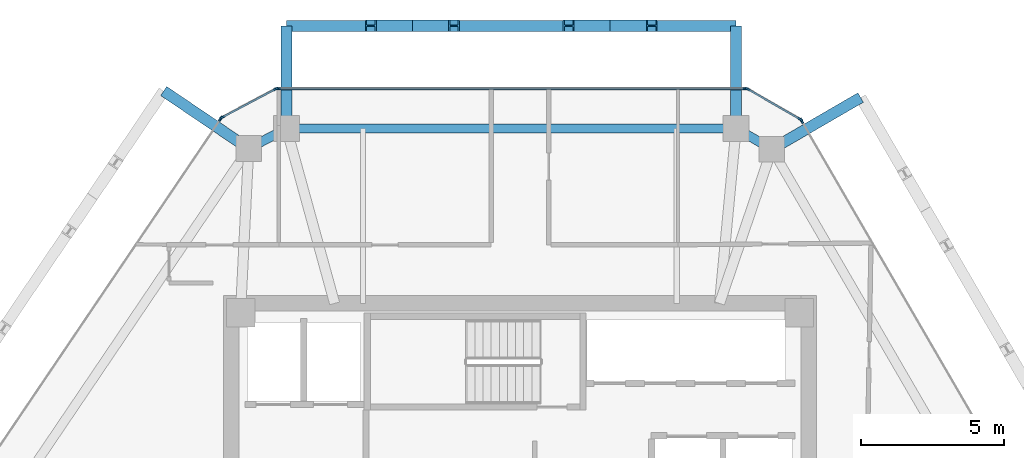
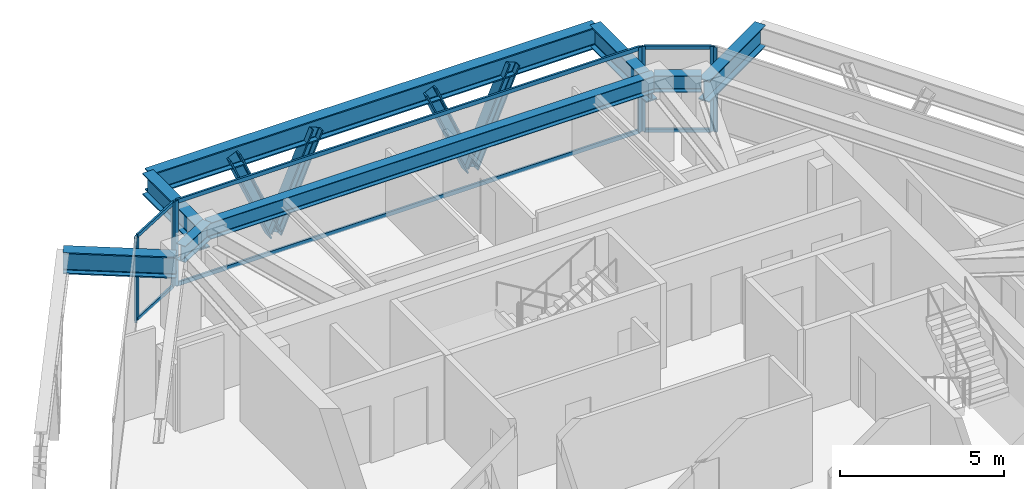
# One storey, part 6 of 11: 18 members, 8 beams, 5 elements without a shape of their own.
"""IFC4 building model written with IfcOpenShell, lengths in metres."""

from ifc_helpers import new_model, si_unit, direction, frame, origin, origin_2d, place, context, subcontext, project, spatial, rectangle, i_section, extrude, source, transform, mapped, material, layer, layer_set, material_profile, profile_set, type_object, type_shapes, element, aggregate, save


model = new_model("IFC4")

# Units and contexts
model_context = context("Model", 3, precision=1e-05, world=origin(), true_north=direction((0.0, 1.0)))
body_context = subcontext(model_context, "Body", "Model", "MODEL_VIEW")
ifc_project = project(units=[si_unit("LENGTHUNIT", "METRE"), si_unit("AREAUNIT", "SQUARE_METRE"), si_unit("VOLUMEUNIT", "CUBIC_METRE"), si_unit("PLANEANGLEUNIT", "RADIAN"), si_unit("MASSUNIT", "GRAM", prefix="KILO")], contexts=[model_context])

# Site, building, storey
site_placement = place(None, origin())
site = spatial("IfcSite", under=ifc_project, at=site_placement, CompositionType="ELEMENT")
building_placement = place(site_placement, origin())
building = spatial("IfcBuilding", under=site, at=building_placement, Name="Durnholm Broadcast Tower", CompositionType="ELEMENT")
storey_placement = place(building_placement, frame((0.0, 0.0, 251.300048828125)))
storey = spatial("IfcBuildingStorey", under=building, at=storey_placement, Name="L70", CompositionType="ELEMENT", Elevation=251.300048828125)

# Beams
ifc_material_1 = material(Name="Steel ASTM A992 Grade 50", Category="steel")
ifc_material_profile_1 = material_profile(ifc_material_1, i_section(OverallWidth=0.385009765625, OverallDepth=0.802978515625, WebThickness=0.023681640625, FlangeThickness=0.0419921875, FilletRadius=0.032958984375, at=origin_2d()), Name="W30X261")
ifc_profile_set_1 = profile_set([ifc_material_profile_1], Name="Steel ASTM A992 Grade 50")
beam_type_1 = type_object("IfcBeamType", Name="BM-EXO-TIE", PredefinedType="USERDEFINED", material=ifc_profile_set_1)
shared_shape_1 = source(origin(), body_context, "Body", "SweptSolid", [
    extrude(i_section(OverallWidth=0.385009765625, OverallDepth=0.802978515625, WebThickness=0.023681640625, FlangeThickness=0.0419921875, FilletRadius=0.032958984375, at=origin_2d()), origin(), (0.0, 0.0, 1.0), 3.4560546875),
])
for number, where, z_axis, x_axis, name in (
    (1, (7.57958984375, 14.406005859375, 2.408447265625), (0.0, 1.0, 0.0), (-1.0, 0.0, 0.0), "L70 exoskeleton stand-off tie bracket F4.1"),
    (2, (-8.187744140625, 14.406005859375, 2.408447265625), (0.0, 1.0, 0.0), (-1.0, 0.0, 0.0), "L70 exoskeleton stand-off tie bracket F4.2"),
):
    element("IfcBeam", number, at=place(storey_placement, frame(where, z_axis=z_axis, x_axis=x_axis)), inside=storey, type_object=beam_type_1, Name=name, ObjectType="GIRDER", PredefinedType="USERDEFINED", context=body_context, shape_type="MappedRepresentation", body=[
        mapped(shared_shape_1, transform((0.0, 0.0, 0.0), x_axis=(1.0, 0.0, 0.0), y_axis=(0.0, 1.0, 0.0), z_axis=(0.0, 0.0, 1.0), scale=1.0)),
    ])
shared_shape_2 = source(origin(), body_context, "Body", "SweptSolid", [
    extrude(i_section(OverallWidth=0.385009765625, OverallDepth=0.802978515625, WebThickness=0.023681640625, FlangeThickness=0.0419921875, FilletRadius=0.032958984375, at=origin_2d()), origin(), (0.0, 0.0, 1.0), 3.455810546875),
])
for number, where, z_axis, x_axis, name in (
    (3, (8.9619140625, 13.610107421875, 2.408447265625), (0.864906682814, 0.501932694715, 0.0), (-0.501932694715, 0.864906682814, 0.0), "L70 exoskeleton stand-off tie bracket F3.2"),
    (4, (-9.63427734375, 13.637939453125, 2.408447265625), (-0.828446342252, 0.560068440469, 0.0), (-0.560068440469, -0.828446342252, 0.0), "L70 exoskeleton stand-off tie bracket F5.1"),
):
    element("IfcBeam", number, at=place(storey_placement, frame(where, z_axis=z_axis, x_axis=x_axis)), inside=storey, type_object=beam_type_1, Name=name, ObjectType="GIRDER", PredefinedType="USERDEFINED", context=body_context, shape_type="MappedRepresentation", body=[
        mapped(shared_shape_2, transform((0.0, 0.0, 0.0), x_axis=(1.0, 0.0, 0.0), y_axis=(0.0, 1.0, 0.0), z_axis=(0.0, 0.0, 1.0), scale=1.0)),
    ])
ifc_material_profile_2 = material_profile(ifc_material_1, i_section(OverallWidth=0.3251953125, OverallDepth=0.6162109375, WebThickness=0.013916015625, FlangeThickness=0.021484375, FilletRadius=0.02783203125, at=origin_2d()), Name="W24X117")
ifc_profile_set_2 = profile_set([ifc_material_profile_2], Name="Steel ASTM A992 Grade 50")
beam_type_2 = type_object("IfcBeamType", Name="STL-SP-W24X117", PredefinedType="SPANDREL", material=ifc_profile_set_2)
shared_shape_3 = source(origin(), body_context, "Body", "SweptSolid", [
    extrude(i_section(OverallWidth=0.3251953125, OverallDepth=0.6162109375, WebThickness=0.013916015625, FlangeThickness=0.021484375, FilletRadius=0.02783203125, at=origin_2d()), origin(), (0.0, 0.0, 1.0), 1.502685546875),
])
beam_1_placement = place(storey_placement, frame((-9.514892578125, 13.557373046875, 2.8369140625), z_axis=(0.883241909673, 0.468917614296, 0.0), x_axis=(-0.468917614296, 0.883241909673, 0.0)))
element("IfcBeam", 5, at=beam_1_placement, inside=storey, type_object=beam_type_2, Name="L70 perimeter spandrel girder 04", PredefinedType="SPANDREL", context=body_context, shape_type="MappedRepresentation", body=[
    mapped(shared_shape_3, transform((0.0, 0.0, 0.0), x_axis=(1.0, 0.0, 0.0), y_axis=(0.0, 1.0, 0.0), z_axis=(0.0, 0.0, 1.0), scale=1.0)),
])
shared_shape_4 = source(origin(), body_context, "Body", "SweptSolid", [
    extrude(i_section(OverallWidth=0.3251953125, OverallDepth=0.6162109375, WebThickness=0.013916015625, FlangeThickness=0.021484375, FilletRadius=0.02783203125, at=origin_2d()), origin(), (0.0, 0.0, 1.0), 15.767333984375),
])
beam_2_placement = place(storey_placement, frame((-8.187744140625, 14.261962890625, 2.8369140625), z_axis=(1.0, 0.0, 0.0), x_axis=(0.0, 1.0, 0.0)))
element("IfcBeam", 6, at=beam_2_placement, inside=storey, type_object=beam_type_2, Name="L70 perimeter spandrel girder 05", PredefinedType="SPANDREL", context=body_context, shape_type="MappedRepresentation", body=[
    mapped(shared_shape_4, transform((0.0, 0.0, 0.0), x_axis=(1.0, 0.0, 0.0), y_axis=(0.0, 1.0, 0.0), z_axis=(0.0, 0.0, 1.0), scale=1.0)),
])
shared_shape_5 = source(origin(), body_context, "Body", "SweptSolid", [
    extrude(i_section(OverallWidth=0.3251953125, OverallDepth=0.6162109375, WebThickness=0.013916015625, FlangeThickness=0.021484375, FilletRadius=0.02783203125, at=origin_2d()), origin(), (0.0, 0.0, 1.0), 1.451416015625),
])
type_shapes(beam_type_2, [shared_shape_3, shared_shape_4, shared_shape_5])
beam_3_placement = place(storey_placement, frame((7.57958984375, 14.261962890625, 2.8369140625), z_axis=(0.866571760088, -0.499052486836, 0.0), x_axis=(0.499052486836, 0.866571760088, 0.0)))
element("IfcBeam", 7, at=beam_3_placement, inside=storey, type_object=beam_type_2, Name="L70 perimeter spandrel girder 06", PredefinedType="SPANDREL", context=body_context, shape_type="MappedRepresentation", body=[
    mapped(shared_shape_5, transform((0.0, 0.0, 0.0), x_axis=(1.0, 0.0, 0.0), y_axis=(0.0, 1.0, 0.0), z_axis=(0.0, 0.0, 1.0), scale=1.0)),
])
shared_shape_6 = source(origin(), body_context, "Body", "SweptSolid", [
    extrude(i_section(OverallWidth=0.385009765625, OverallDepth=0.802978515625, WebThickness=0.023681640625, FlangeThickness=0.0419921875, FilletRadius=0.032958984375, at=origin_2d()), origin(), (0.0, 0.0, 1.0), 15.767333984375),
])
type_shapes(beam_type_1, [shared_shape_1, shared_shape_2, shared_shape_6])
beam_4_placement = place(storey_placement, frame((7.57958984375, 17.862060546875, 2.408447265625), z_axis=(-1.0, 0.0, 0.0), x_axis=(0.0, -1.0, 0.0)))
element("IfcBeam", 8, at=beam_4_placement, inside=storey, type_object=beam_type_1, Name="L70 exoskeleton collector spandrel F4", PredefinedType="SPANDREL", context=body_context, shape_type="MappedRepresentation", body=[
    mapped(shared_shape_6, transform((0.0, 0.0, 0.0), x_axis=(1.0, 0.0, 0.0), y_axis=(0.0, 1.0, 0.0), z_axis=(0.0, 0.0, 1.0), scale=1.0)),
])

# Members
ifc_material_2 = material(Name="Steel ASTM A913 Grade 65", Category="steel")
ifc_material_profile_3 = material_profile(ifc_material_2, i_section(OverallWidth=0.40625, OverallDepth=0.416015625, WebThickness=0.02978515625, FlangeThickness=0.048095703125, FilletRadius=0.030517578125, at=origin_2d()), Name="W14X257")
ifc_profile_set_3 = profile_set([ifc_material_profile_3], Name="Steel ASTM A913 Grade 65")
member_type_1 = type_object("IfcMemberType", Name="STL-DG-W14X257", PredefinedType="BRACE", material=ifc_profile_set_3)
shared_shape_7 = source(origin(), body_context, "Body", "SweptSolid", [
    extrude(i_section(OverallWidth=0.40625, OverallDepth=0.416015625, WebThickness=0.02978515625, FlangeThickness=0.048095703125, FilletRadius=0.030517578125, at=origin_2d()), origin(), (0.0, 0.0, 1.0), 3.699462890625),
])
type_shapes(member_type_1, [shared_shape_7])
for number, where, z_axis, x_axis, name in (
    (9, (3.164794921875, 17.862060546875, -0.991455078125), (0.394182120618, 0.0, 0.919032347518), (0.0, 1.0, 0.0), "L70 stand-off diagrid brace F4.D1.1"),
    (10, (3.164794921875, 17.862060546875, -0.991455078125), (-0.394182120618, 0.0, 0.919032347518), (0.0, -1.0, 0.0), "L70 stand-off diagrid brace F4.D1.2"),
    (11, (-3.772705078125, 17.862060546875, -0.991455078125), (0.394126378567, 0.0, 0.919056253838), (0.0, 1.0, 0.0), "L70 stand-off diagrid brace F4.D2.1"),
    (12, (-3.772705078125, 17.862060546875, -0.991455078125), (-0.394182120618, 0.0, 0.919032347518), (0.0, -1.0, 0.0), "L70 stand-off diagrid brace F4.D2.2"),
):
    element("IfcMember", number, at=place(storey_placement, frame(where, z_axis=z_axis, x_axis=x_axis)), inside=storey, type_object=member_type_1, Name=name, PredefinedType="BRACE", context=body_context, shape_type="MappedRepresentation", body=[
        mapped(shared_shape_7, transform((0.0, 0.0, 0.0), x_axis=(1.0, 0.0, 0.0), y_axis=(0.0, 1.0, 0.0), z_axis=(0.0, 0.0, 1.0), scale=1.0)),
    ])

# Curtain wall, members
ifc_material_3 = material(Name="Aluminium and Solar Control IGU", Category="aluminium")
ifc_layer_1 = layer(ifc_material_3, 0.1650390625)
ifc_layer_set_1 = layer_set([ifc_layer_1], Name="Aluminium and Solar Control IGU")
curtain_wall_type_1 = type_object("IfcCurtainWallType", Name="CW-SYS-5", PredefinedType="NOTDEFINED", material=ifc_layer_set_1)
curtain_wall_1_placement = place(storey_placement, origin())
curtain_wall_1 = element("IfcCurtainWall", 13, at=curtain_wall_1_placement, inside=storey, type_object=curtain_wall_type_1, Name="L70 curtain wall CW-CORNER CW-L70-CRN-03", PredefinedType="NOTDEFINED")
ifc_material_4 = material(Name="Aluminium 6063-T6", Category="aluminium")
ifc_material_profile_4 = material_profile(ifc_material_4, rectangle(XDim=0.06494140625, YDim=0.1298828125, at=origin_2d()), Name="CWT65X130")
ifc_profile_set_4 = profile_set([ifc_material_profile_4], Name="Aluminium 6063-T6")
member_type_2 = type_object("IfcMemberType", Name="CW-SYS-5-TRN", PredefinedType="USERDEFINED", material=ifc_profile_set_4)
shared_shape_8 = source(origin(), body_context, "Body", "SweptSolid", [
    extrude(rectangle(XDim=0.06494140625, YDim=0.1298828125, at=origin_2d()), origin(), (0.0, 0.0, 1.0), 2.070068359375),
])
type_shapes(member_type_2, [shared_shape_8])
member_1_placement = place(storey_placement, frame((-10.421875, 14.66064453125, 0.032470703125), z_axis=(0.883164581026, 0.469063239682, 0.0), x_axis=(-0.469063239682, 0.883164581026, 0.0)))
member_1 = element("IfcMember", 14, at=member_1_placement, type_object=member_type_2, Name="CW-CORNER transom 1.1", ObjectType="TRANSOM", PredefinedType="USERDEFINED", context=body_context, shape_type="MappedRepresentation", body=[
    mapped(shared_shape_8, transform((0.0, 0.0, 0.0), x_axis=(1.0, 0.0, 0.0), y_axis=(0.0, 1.0, 0.0), z_axis=(0.0, 0.0, 1.0), scale=1.0)),
])
member_2_placement = place(storey_placement, frame((-10.421875, 14.66064453125, 3.12744140625), z_axis=(0.883164581026, 0.469063239682, 0.0), x_axis=(-0.469063239682, 0.883164581026, 0.0)))
member_2 = element("IfcMember", 15, at=member_2_placement, type_object=member_type_2, Name="CW-CORNER transom 1.2", ObjectType="TRANSOM", PredefinedType="USERDEFINED", context=body_context, shape_type="MappedRepresentation", body=[
    mapped(shared_shape_8, transform((0.0, 0.0, 0.0), x_axis=(1.0, 0.0, 0.0), y_axis=(0.0, 1.0, 0.0), z_axis=(0.0, 0.0, 1.0), scale=1.0)),
])

curtain_wall_2_placement = place(storey_placement, origin())
curtain_wall_2 = element("IfcCurtainWall", 16, at=curtain_wall_2_placement, inside=storey, type_object=curtain_wall_type_1, Name="L70 curtain wall CW-CORNER CW-L70-CRN-05", PredefinedType="NOTDEFINED")
member_3_placement = place(storey_placement, frame((8.01025390625, 15.629638671875, 0.032470703125), z_axis=(0.866525076636, -0.499133540809, 0.0), x_axis=(0.499133540809, 0.866525076636, 0.0)))
member_3 = element("IfcMember", 17, at=member_3_placement, type_object=member_type_2, Name="CW-CORNER transom 1.1", ObjectType="TRANSOM", PredefinedType="USERDEFINED", context=body_context, shape_type="MappedRepresentation", body=[
    mapped(shared_shape_8, transform((0.0, 0.0, 0.0), x_axis=(1.0, 0.0, 0.0), y_axis=(0.0, 1.0, 0.0), z_axis=(0.0, 0.0, 1.0), scale=1.0)),
])
member_4_placement = place(storey_placement, frame((8.01025390625, 15.629638671875, 3.12744140625), z_axis=(0.866525076636, -0.499133540809, 0.0), x_axis=(0.499133540809, 0.866525076636, 0.0)))
member_4 = element("IfcMember", 18, at=member_4_placement, type_object=member_type_2, Name="CW-CORNER transom 1.2", ObjectType="TRANSOM", PredefinedType="USERDEFINED", context=body_context, shape_type="MappedRepresentation", body=[
    mapped(shared_shape_8, transform((0.0, 0.0, 0.0), x_axis=(1.0, 0.0, 0.0), y_axis=(0.0, 1.0, 0.0), z_axis=(0.0, 0.0, 1.0), scale=1.0)),
])

ifc_layer_2 = layer(ifc_material_3, 0.18994140625)
ifc_layer_set_2 = layer_set([ifc_layer_2], Name="Aluminium and Solar Control IGU")
curtain_wall_type_2 = type_object("IfcCurtainWallType", Name="CW-SYS-4", PredefinedType="NOTDEFINED", material=ifc_layer_set_2)
curtain_wall_3_placement = place(storey_placement, origin())
curtain_wall_3 = element("IfcCurtainWall", 19, at=curtain_wall_3_placement, inside=storey, type_object=curtain_wall_type_2, Name="L70 curtain wall CW-Z34-VIS CW-L70-F04", PredefinedType="NOTDEFINED")
ifc_material_profile_5 = material_profile(ifc_material_4, rectangle(XDim=0.070068359375, YDim=0.14990234375, at=origin_2d()), Name="CWT70X150")
ifc_profile_set_5 = profile_set([ifc_material_profile_5], Name="Aluminium 6063-T6")
member_type_3 = type_object("IfcMemberType", Name="CW-SYS-4-TRN", PredefinedType="USERDEFINED", material=ifc_profile_set_5)
shared_shape_9 = source(origin(), body_context, "Body", "SweptSolid", [
    extrude(rectangle(XDim=0.070068359375, YDim=0.14990234375, at=origin_2d()), origin(), (0.0, 0.0, 1.0), 16.350341796875),
])
type_shapes(member_type_3, [shared_shape_9])
member_5_placement = place(storey_placement, frame((-8.46630859375, 15.662109375, 0.034912109375), z_axis=(1.0, 0.0, 0.0), x_axis=(0.0, 1.0, 0.0)))
member_5 = element("IfcMember", 20, at=member_5_placement, type_object=member_type_3, Name="CW-Z34-VIS transom 1.1", ObjectType="TRANSOM", PredefinedType="USERDEFINED", context=body_context, shape_type="MappedRepresentation", body=[
    mapped(shared_shape_9, transform((0.0, 0.0, 0.0), x_axis=(1.0, 0.0, 0.0), y_axis=(0.0, 1.0, 0.0), z_axis=(0.0, 0.0, 1.0), scale=1.0)),
])
member_6_placement = place(storey_placement, frame((-8.46630859375, 15.662109375, 3.125), z_axis=(1.0, 0.0, 0.0), x_axis=(0.0, 1.0, 0.0)))
member_6 = element("IfcMember", 21, at=member_6_placement, type_object=member_type_3, Name="CW-Z34-VIS transom 1.2", ObjectType="TRANSOM", PredefinedType="USERDEFINED", context=body_context, shape_type="MappedRepresentation", body=[
    mapped(shared_shape_9, transform((0.0, 0.0, 0.0), x_axis=(1.0, 0.0, 0.0), y_axis=(0.0, 1.0, 0.0), z_axis=(0.0, 0.0, 1.0), scale=1.0)),
])

# Member
ifc_material_profile_6 = material_profile(ifc_material_4, rectangle(XDim=0.06494140625, YDim=0.1650390625, at=origin_2d()), Name="CWM65X165")
ifc_profile_set_6 = profile_set([ifc_material_profile_6], Name="Aluminium 6063-T6")
member_type_4 = type_object("IfcMemberType", Name="CW-SYS-5-MUL", PredefinedType="MULLION", material=ifc_profile_set_6)
shared_shape_10 = source(origin(), body_context, "Body", "SweptSolid", [
    extrude(rectangle(XDim=0.06494140625, YDim=0.1650390625, at=origin_2d()), origin(), (0.0, 0.0, 1.0), 3.159912109375),
])
type_shapes(member_type_4, [shared_shape_10])
member_7_placement = place(storey_placement, frame((-10.45068359375, 14.6455078125, 0.0), z_axis=(0.0, 0.0, 1.0), x_axis=(-0.469006771575, 0.883194569853, 0.0)))
member_7 = element("IfcMember", 22, at=member_7_placement, type_object=member_type_4, Name="CW-CORNER mullion 1", PredefinedType="MULLION", context=body_context, shape_type="MappedRepresentation", body=[
    mapped(shared_shape_10, transform((0.0, 0.0, 0.0), x_axis=(1.0, 0.0, 0.0), y_axis=(0.0, 1.0, 0.0), z_axis=(0.0, 0.0, 1.0), scale=1.0)),
])

member_8_placement = place(storey_placement, frame((-8.565185546875, 15.646728515625, 0.0), z_axis=(0.0, 0.0, 1.0), x_axis=(-0.469006771575, 0.883194569853, 0.0)))
member_8 = element("IfcMember", 23, at=member_8_placement, type_object=member_type_4, Name="CW-CORNER mullion 2", PredefinedType="MULLION", context=body_context, shape_type="MappedRepresentation", body=[
    mapped(shared_shape_10, transform((0.0, 0.0, 0.0), x_axis=(1.0, 0.0, 0.0), y_axis=(0.0, 1.0, 0.0), z_axis=(0.0, 0.0, 1.0), scale=1.0)),
])

aggregate(curtain_wall_1, [member_7, member_8, member_1, member_2])

member_9_placement = place(storey_placement, frame((7.982177734375, 15.645751953125, 0.0), z_axis=(0.0, 0.0, 1.0), x_axis=(0.499058582333, 0.866568249707, 0.0)))
member_9 = element("IfcMember", 24, at=member_9_placement, type_object=member_type_4, Name="CW-CORNER mullion 1", PredefinedType="MULLION", context=body_context, shape_type="MappedRepresentation", body=[
    mapped(shared_shape_10, transform((0.0, 0.0, 0.0), x_axis=(1.0, 0.0, 0.0), y_axis=(0.0, 1.0, 0.0), z_axis=(0.0, 0.0, 1.0), scale=1.0)),
])

member_10_placement = place(storey_placement, frame((9.832275390625, 14.580322265625, 0.0), z_axis=(0.0, 0.0, 1.0), x_axis=(0.499058582333, 0.866568249707, 0.0)))
member_10 = element("IfcMember", 25, at=member_10_placement, type_object=member_type_4, Name="CW-CORNER mullion 2", PredefinedType="MULLION", context=body_context, shape_type="MappedRepresentation", body=[
    mapped(shared_shape_10, transform((0.0, 0.0, 0.0), x_axis=(1.0, 0.0, 0.0), y_axis=(0.0, 1.0, 0.0), z_axis=(0.0, 0.0, 1.0), scale=1.0)),
])

aggregate(curtain_wall_2, [member_9, member_10, member_3, member_4])

# Curtain wall, member
curtain_wall_4_placement = place(storey_placement, origin())
curtain_wall_4 = element("IfcCurtainWall", 26, at=curtain_wall_4_placement, inside=storey, type_object=curtain_wall_type_2, Name="L70 curtain wall CW-Z34-VIS CW-L70-F02", PredefinedType="NOTDEFINED")
ifc_material_profile_7 = material_profile(ifc_material_4, rectangle(XDim=0.070068359375, YDim=0.18994140625, at=origin_2d()), Name="CWM70X190")
ifc_profile_set_7 = profile_set([ifc_material_profile_7], Name="Aluminium 6063-T6")
member_type_5 = type_object("IfcMemberType", Name="CW-SYS-4-MUL", PredefinedType="MULLION", material=ifc_profile_set_7)
shared_shape_11 = source(origin(), body_context, "Body", "SweptSolid", [
    extrude(rectangle(XDim=0.070068359375, YDim=0.18994140625, at=origin_2d()), origin(), (0.0, 0.0, 1.0), 3.159912109375),
])
type_shapes(member_type_5, [shared_shape_11])
member_11_placement = place(storey_placement, frame((-10.4990234375, 14.601318359375, 0.0), z_axis=(0.0, 0.0, 1.0), x_axis=(-0.828443431662, 0.560072745753, 0.0)))
member_11 = element("IfcMember", 27, at=member_11_placement, type_object=member_type_5, Name="CW-Z34-VIS mullion 2", PredefinedType="MULLION", context=body_context, shape_type="MappedRepresentation", body=[
    mapped(shared_shape_11, transform((0.0, 0.0, 0.0), x_axis=(1.0, 0.0, 0.0), y_axis=(0.0, 1.0, 0.0), z_axis=(0.0, 0.0, 1.0), scale=1.0)),
])
aggregate(curtain_wall_4, [member_11])

# Member
member_12_placement = place(storey_placement, frame((-8.50146484375, 15.662109375, 0.0), z_axis=(0.0, 0.0, 1.0), x_axis=(0.0, 1.0, 0.0)))
member_12 = element("IfcMember", 28, at=member_12_placement, type_object=member_type_5, Name="CW-Z34-VIS mullion 1", PredefinedType="MULLION", context=body_context, shape_type="MappedRepresentation", body=[
    mapped(shared_shape_11, transform((0.0, 0.0, 0.0), x_axis=(1.0, 0.0, 0.0), y_axis=(0.0, 1.0, 0.0), z_axis=(0.0, 0.0, 1.0), scale=1.0)),
])

member_13_placement = place(storey_placement, frame((7.9189453125, 15.662109375, 0.0), z_axis=(0.0, 0.0, 1.0), x_axis=(0.0, 1.0, 0.0)))
member_13 = element("IfcMember", 29, at=member_13_placement, type_object=member_type_5, Name="CW-Z34-VIS mullion 2", PredefinedType="MULLION", context=body_context, shape_type="MappedRepresentation", body=[
    mapped(shared_shape_11, transform((0.0, 0.0, 0.0), x_axis=(1.0, 0.0, 0.0), y_axis=(0.0, 1.0, 0.0), z_axis=(0.0, 0.0, 1.0), scale=1.0)),
])

aggregate(curtain_wall_3, [member_12, member_13, member_5, member_6])

# Curtain wall, member
curtain_wall_5_placement = place(storey_placement, origin())
curtain_wall_5 = element("IfcCurtainWall", 30, at=curtain_wall_5_placement, inside=storey, type_object=curtain_wall_type_2, Name="L70 curtain wall CW-Z34-VIS CW-L70-F06", PredefinedType="NOTDEFINED")
member_14_placement = place(storey_placement, frame((9.8779296875, 14.533935546875, 0.0), z_axis=(0.0, 0.0, 1.0), x_axis=(0.864899883824, 0.50194441023, 0.0)))
member_14 = element("IfcMember", 31, at=member_14_placement, type_object=member_type_5, Name="CW-Z34-VIS mullion 1", PredefinedType="MULLION", context=body_context, shape_type="MappedRepresentation", body=[
    mapped(shared_shape_11, transform((0.0, 0.0, 0.0), x_axis=(1.0, 0.0, 0.0), y_axis=(0.0, 1.0, 0.0), z_axis=(0.0, 0.0, 1.0), scale=1.0)),
])
aggregate(curtain_wall_5, [member_14])

save(model, "model.ifc")
